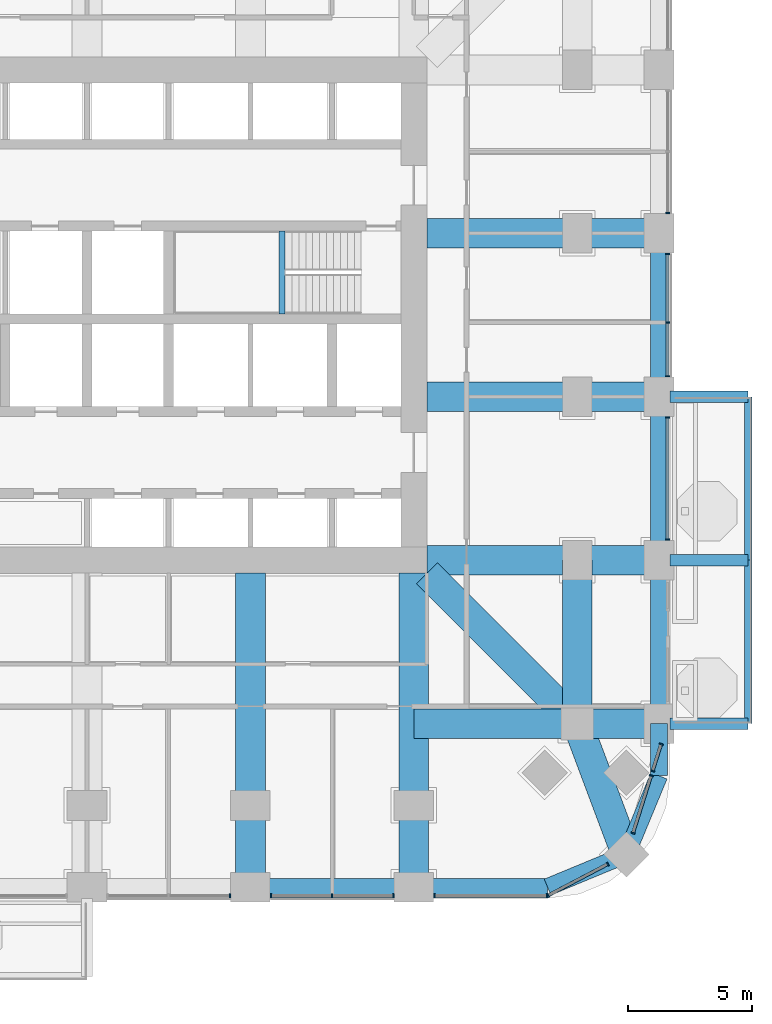
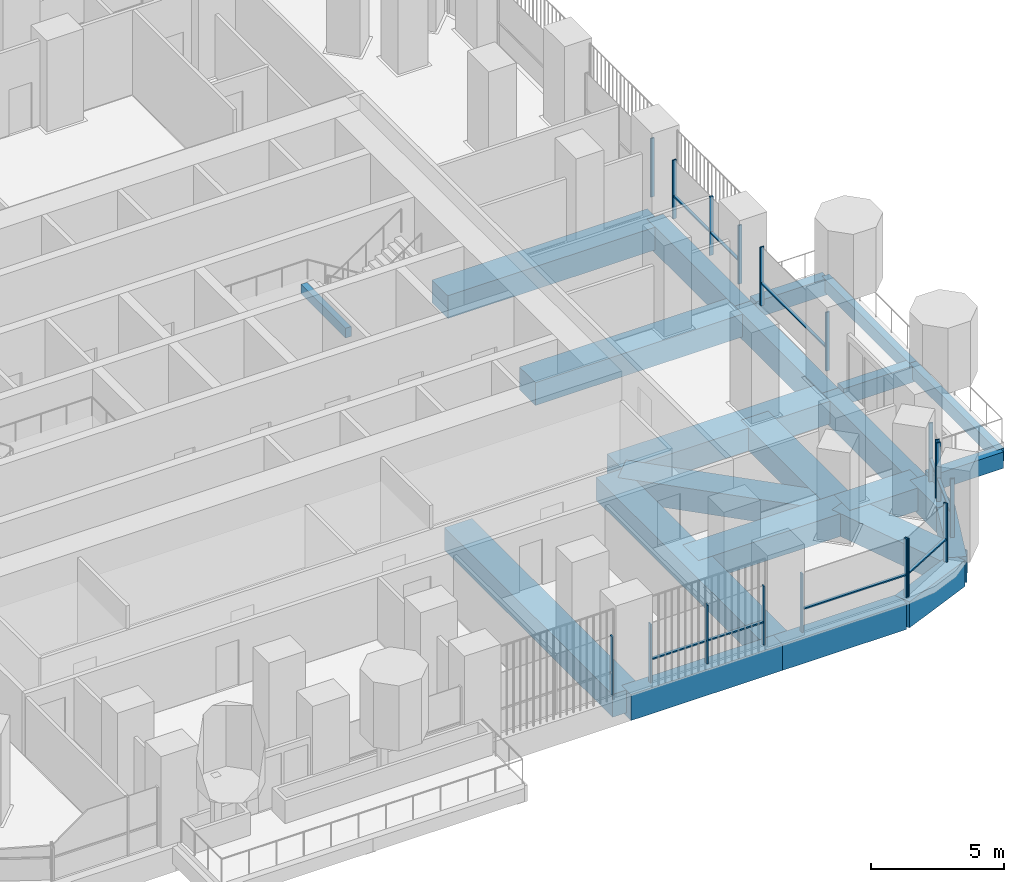
# One storey, part 5 of 21: 27 members, 24 beams, 9 elements without a shape of their own.
"""IFC4 building model written with IfcOpenShell, lengths in metres."""

from ifc_helpers import new_model, si_unit, direction, frame, origin, origin_2d, place, context, subcontext, project, spatial, rectangle, extrude, material, material_profile, profile_set, type_object, element, aggregate, save


model = new_model("IFC4")

# Units and contexts
model_context = context("Model", 3, precision=1e-05, world=origin(), true_north=direction((0.0, 1.0)))
body_context = subcontext(model_context, "Body", "Model", "MODEL_VIEW")
ifc_project = project(units=[si_unit("LENGTHUNIT", "METRE"), si_unit("AREAUNIT", "SQUARE_METRE"), si_unit("VOLUMEUNIT", "CUBIC_METRE"), si_unit("PLANEANGLEUNIT", "RADIAN"), si_unit("MASSUNIT", "GRAM", prefix="KILO")], contexts=[model_context])

# Site, building, storey
site_placement = place(None, origin())
site = spatial("IfcSite", under=ifc_project, at=site_placement, CompositionType="ELEMENT")
building_placement = place(site_placement, origin())
building = spatial("IfcBuilding", under=site, at=building_placement, Name="Cobogo Forest Laboratory Tower", CompositionType="ELEMENT")
storey_placement = place(building_placement, frame((0.0, 0.0, 107.39990234375)))
storey = spatial("IfcBuildingStorey", under=building, at=storey_placement, Name="L24", CompositionType="ELEMENT", Elevation=107.39990234375)

# Beams
ifc_material_1 = material(Name="Concrete HA-40 (C40/50)", Category="concrete")
ifc_material_profile_1 = material_profile(ifc_material_1, rectangle(XDim=0.449951171875, YDim=0.75, at=origin_2d()), Name="RC 450x750")
ifc_profile_set_1 = profile_set([ifc_material_profile_1], Name="Concrete HA-40 (C40/50)")
beam_type_1 = type_object("IfcBeamType", Name="Balcony cantilever beam 450x750", PredefinedType="BEAM", material=ifc_profile_set_1)
for number, where, z_axis, x_axis, name in (
    (1, (49.949951171875, 6.60009765625, -0.625), (1.0, 0.0, 0.0), (0.0, 1.0, 0.0), "CB1 BAL-E1-C1 L24"),
    (2, (49.949951171875, 13.199951171875, -0.625), (1.0, 0.0, 0.0), (0.0, 1.0, 0.0), "CB1 BAL-E1-C2 L24"),
    (3, (49.949951171875, 19.800048828125, -0.625), (1.0, 0.0, 0.0), (0.0, 1.0, 0.0), "CB1 BAL-E1-C3 L24"),
):
    element("IfcBeam", number, at=place(storey_placement, frame(where, z_axis=z_axis, x_axis=x_axis)), inside=storey, type_object=beam_type_1, Name=name, PredefinedType="BEAM", context=body_context, shape_type="SweptSolid", body=[
        extrude(rectangle(XDim=0.449951171875, YDim=0.75, at=origin_2d()), origin(), (0.0, 0.0, 1.0), 3.150146484375),
    ])
ifc_material_profile_2 = material_profile(ifc_material_1, rectangle(XDim=0.300048828125, YDim=0.60009765625, at=origin_2d()), Name="RC 300x600")
ifc_profile_set_2 = profile_set([ifc_material_profile_2], Name="Concrete HA-40 (C40/50)")
beam_type_2 = type_object("IfcBeamType", Name="Balcony edge beam 300x600", PredefinedType="BEAM", material=ifc_profile_set_2)
beam_1_placement = place(storey_placement, frame((53.10009765625, 6.60009765625, -0.5498046875), z_axis=(0.0, 1.0, 0.0), x_axis=(-1.0, 0.0, 0.0)))
element("IfcBeam", 4, at=beam_1_placement, inside=storey, type_object=beam_type_2, Name="BB1 BAL-E1-T1 L24", PredefinedType="BEAM", context=body_context, shape_type="SweptSolid", body=[
    extrude(rectangle(XDim=0.300048828125, YDim=0.60009765625, at=origin_2d()), origin(), (0.0, 0.0, 1.0), 6.599853515625),
])
beam_2_placement = place(storey_placement, frame((53.10009765625, 13.199951171875, -0.5498046875), z_axis=(0.0, 1.0, 0.0), x_axis=(-1.0, 0.0, 0.0)))
element("IfcBeam", 5, at=beam_2_placement, inside=storey, type_object=beam_type_2, Name="BB1 BAL-E1-T2 L24", PredefinedType="BEAM", context=body_context, shape_type="SweptSolid", body=[
    extrude(rectangle(XDim=0.300048828125, YDim=0.60009765625, at=origin_2d()), origin(), (0.0, 0.0, 1.0), 6.60009765625),
])
ifc_material_profile_3 = material_profile(ifc_material_1, rectangle(XDim=0.25, YDim=0.449951171875, at=origin_2d()), Name="RC 250x450")
ifc_profile_set_3 = profile_set([ifc_material_profile_3], Name="Concrete HA-40 (C40/50)")
beam_type_3 = type_object("IfcBeamType", Name="LB1 landing beam 250x450", PredefinedType="BEAM", material=ifc_profile_set_3)
beam_3_placement = place(storey_placement, frame((34.27001953125, 23.14990234375, 1.675048828125), z_axis=(0.0, 1.0, 0.0), x_axis=(-1.0, 0.0, 0.0)))
element("IfcBeam", 6, at=beam_3_placement, inside=storey, type_object=beam_type_3, Name="Landing beam ST2 L24", PredefinedType="BEAM", context=body_context, shape_type="SweptSolid", body=[
    extrude(rectangle(XDim=0.25, YDim=0.449951171875, at=origin_2d()), origin(), (0.0, 0.0, 1.0), 3.35009765625),
])
ifc_material_profile_4 = material_profile(ifc_material_1, rectangle(XDim=1.199951171875, YDim=1.050048828125, at=origin_2d()), Name="RC 1200x1050")
ifc_profile_set_4 = profile_set([ifc_material_profile_4], Name="Concrete HA-40 (C40/50)")
beam_type_4 = type_object("IfcBeamType", Name="Laboratory floor wide beam 1200x1050", PredefinedType="BEAM", material=ifc_profile_set_4)
for number, where, z_axis, x_axis, name in (
    (7, (33.0, 12.675048828125, -0.824951171875), (0.0, -1.0, 0.0), (1.0, 0.0, 0.0), "RB1 R-6-S L24"),
    (8, (39.60009765625, 12.675048828125, -0.824951171875), (0.0, -1.0, 0.0), (1.0, 0.0, 0.0), "RB1 R-7-S L24"),
):
    element("IfcBeam", number, at=place(storey_placement, frame(where, z_axis=z_axis, x_axis=x_axis)), inside=storey, type_object=beam_type_4, Name=name, PredefinedType="BEAM", context=body_context, shape_type="SweptSolid", body=[
        extrude(rectangle(XDim=1.199951171875, YDim=1.050048828125, at=origin_2d()), origin(), (0.0, 0.0, 1.0), 12.675048828125),
    ])
for number, where, z_axis, x_axis, name in (
    (9, (40.125, 13.199951171875, -0.824951171875), (1.0, 0.0, 0.0), (0.0, 1.0, 0.0), "RB1 R-C-E L24"),
    (10, (40.125, 19.800048828125, -0.824951171875), (1.0, 0.0, 0.0), (0.0, 1.0, 0.0), "RB1 R-D-E L24"),
    (11, (40.125, 26.39990234375, -0.824951171875), (1.0, 0.0, 0.0), (0.0, 1.0, 0.0), "RB1 R-E-E L24"),
):
    element("IfcBeam", number, at=place(storey_placement, frame(where, z_axis=z_axis, x_axis=x_axis)), inside=storey, type_object=beam_type_4, Name=name, PredefinedType="BEAM", context=body_context, shape_type="SweptSolid", body=[
        extrude(rectangle(XDim=1.199951171875, YDim=1.050048828125, at=origin_2d()), origin(), (0.0, 0.0, 1.0), 9.375),
    ])
beam_4_placement = place(storey_placement, frame((46.199951171875, 6.60009765625, -0.824951171875), z_axis=(0.0, 1.0, 0.0), x_axis=(-1.0, 0.0, 0.0)))
element("IfcBeam", 12, at=beam_4_placement, inside=storey, type_object=beam_type_4, Name="RB1 G-SE-XC L24", PredefinedType="BEAM", context=body_context, shape_type="SweptSolid", body=[
    extrude(rectangle(XDim=1.199951171875, YDim=1.050048828125, at=origin_2d()), origin(), (0.0, 0.0, 1.0), 6.599853515625),
])
beam_5_placement = place(storey_placement, frame((49.5, 6.60009765625, -0.824951171875), z_axis=(-1.0, 0.0, 0.0), x_axis=(0.0, -1.0, 0.0)))
element("IfcBeam", 13, at=beam_5_placement, inside=storey, type_object=beam_type_4, Name="RB1 G-SE-YF L24", PredefinedType="BEAM", context=body_context, shape_type="SweptSolid", body=[
    extrude(rectangle(XDim=1.199951171875, YDim=1.050048828125, at=origin_2d()), origin(), (0.0, 0.0, 1.0), 3.300048828125),
])
beam_6_placement = place(storey_placement, frame((46.199951171875, 6.60009765625, -0.824951171875), z_axis=(-1.0, 0.0, 0.0), x_axis=(0.0, -1.0, 0.0)))
element("IfcBeam", 14, at=beam_6_placement, inside=storey, type_object=beam_type_4, Name="RB1 G-SE-YC L24", PredefinedType="BEAM", context=body_context, shape_type="SweptSolid", body=[
    extrude(rectangle(XDim=1.199951171875, YDim=1.050048828125, at=origin_2d()), origin(), (0.0, 0.0, 1.0), 6.599853515625),
])
beam_7_placement = place(storey_placement, frame((48.181884765625, 1.318115234375, -0.824951171875), z_axis=(-0.351308391925, 0.936259800356, 0.0), x_axis=(-0.936259800356, -0.351308391925, 0.0)))
element("IfcBeam", 15, at=beam_7_placement, inside=storey, type_object=beam_type_4, Name="RB1 G-SE-D1 L24", PredefinedType="BEAM", context=body_context, shape_type="SweptSolid", body=[
    extrude(rectangle(XDim=1.199951171875, YDim=1.050048828125, at=origin_2d()), origin(), (0.0, 0.0, 1.0), 5.6416015625),
])
beam_8_placement = place(storey_placement, frame((46.199951171875, 6.60009765625, -0.824951171875), z_axis=(-0.707106781187, 0.707106781187, 0.0), x_axis=(-0.707106781187, -0.707106781187, 0.0)))
element("IfcBeam", 16, at=beam_8_placement, inside=storey, type_object=beam_type_4, Name="RB1 G-SE-D2 L24", PredefinedType="BEAM", context=body_context, shape_type="SweptSolid", body=[
    extrude(rectangle(XDim=1.199951171875, YDim=1.050048828125, at=origin_2d()), origin(), (0.0, 0.0, 1.0), 8.59130859375),
])

# Curtain wall, member
ifc_material_2 = material(Name="Aluminium curtain wall", Category="aluminium")
curtain_wall_type = type_object("IfcCurtainWallType", Name="CW-1 unitised curtain wall, clear glazing, laboratory floors zones A and B", PredefinedType="USERDEFINED", material=ifc_material_2)
curtain_wall_1_placement = place(storey_placement, origin())
curtain_wall_1 = element("IfcCurtainWall", 17, at=curtain_wall_1_placement, inside=storey, type_object=curtain_wall_type, Name="Curtain wall 04 L24", ObjectType="UNITISED CURTAIN WALL", PredefinedType="USERDEFINED")
ifc_material_3 = material(Name="Aluminium mullion", Category="aluminium")
ifc_material_profile_5 = material_profile(ifc_material_3, rectangle(XDim=0.06005859375, YDim=0.159912109375, at=origin_2d()), Name="AL 60x160")
ifc_profile_set_5 = profile_set([ifc_material_profile_5], Name="Aluminium mullion")
member_type_1 = type_object("IfcMemberType", Name="MU-1 aluminium mullion 60x160", PredefinedType="MULLION", material=ifc_profile_set_5)
member_1_placement = place(storey_placement, frame((32.169921875, -0.35009765625, 0.0), z_axis=(0.0, 0.0, 1.0), x_axis=(1.0, 0.0, 0.0)))
member_1 = element("IfcMember", 18, at=member_1_placement, type_object=member_type_1, Name="CW-1 mullion 3", PredefinedType="MULLION", context=body_context, shape_type="SweptSolid", body=[
    extrude(rectangle(XDim=0.06005859375, YDim=0.159912109375, at=origin_2d()), origin(), (0.0, 0.0, 1.0), 2.7001953125),
])
aggregate(curtain_wall_1, [member_1])

# Curtain wall, members
curtain_wall_2_placement = place(storey_placement, origin())
curtain_wall_2 = element("IfcCurtainWall", 19, at=curtain_wall_2_placement, inside=storey, type_object=curtain_wall_type, Name="Curtain wall 05 L24", ObjectType="UNITISED CURTAIN WALL", PredefinedType="USERDEFINED")
member_2_placement = place(storey_placement, frame((33.830078125, -0.35009765625, 0.0), z_axis=(0.0, 0.0, 1.0), x_axis=(1.0, 0.0, 0.0)))
member_2 = element("IfcMember", 20, at=member_2_placement, type_object=member_type_1, Name="CW-1 mullion 1", PredefinedType="MULLION", context=body_context, shape_type="SweptSolid", body=[
    extrude(rectangle(XDim=0.06005859375, YDim=0.159912109375, at=origin_2d()), origin(), (0.0, 0.0, 1.0), 2.7001953125),
])
member_3_placement = place(storey_placement, frame((36.300048828125, -0.35009765625, 0.0), z_axis=(0.0, 0.0, 1.0), x_axis=(1.0, 0.0, 0.0)))
member_3 = element("IfcMember", 21, at=member_3_placement, type_object=member_type_1, Name="CW-1 mullion 2", PredefinedType="MULLION", context=body_context, shape_type="SweptSolid", body=[
    extrude(rectangle(XDim=0.06005859375, YDim=0.159912109375, at=origin_2d()), origin(), (0.0, 0.0, 1.0), 2.7001953125),
])
member_4_placement = place(storey_placement, frame((38.77001953125, -0.35009765625, 0.0), z_axis=(0.0, 0.0, 1.0), x_axis=(1.0, 0.0, 0.0)))
member_4 = element("IfcMember", 22, at=member_4_placement, type_object=member_type_1, Name="CW-1 mullion 3", PredefinedType="MULLION", context=body_context, shape_type="SweptSolid", body=[
    extrude(rectangle(XDim=0.06005859375, YDim=0.159912109375, at=origin_2d()), origin(), (0.0, 0.0, 1.0), 2.7001953125),
])

curtain_wall_3_placement = place(storey_placement, origin())
curtain_wall_3 = element("IfcCurtainWall", 23, at=curtain_wall_3_placement, inside=storey, type_object=curtain_wall_type, Name="Curtain wall 06 L24", ObjectType="UNITISED CURTAIN WALL", PredefinedType="USERDEFINED")
member_5_placement = place(storey_placement, frame((40.429931640625, -0.35009765625, 0.0), z_axis=(0.0, 0.0, 1.0), x_axis=(1.0, 0.0, 0.0)))
member_5 = element("IfcMember", 24, at=member_5_placement, type_object=member_type_1, Name="CW-1 mullion 1", PredefinedType="MULLION", context=body_context, shape_type="SweptSolid", body=[
    extrude(rectangle(XDim=0.06005859375, YDim=0.159912109375, at=origin_2d()), origin(), (0.0, 0.0, 1.0), 2.7001953125),
])
member_6_placement = place(storey_placement, frame((44.969970703125, -0.35009765625, 0.0), z_axis=(0.0, 0.0, 1.0), x_axis=(1.0, 0.0, 0.0)))
member_6 = element("IfcMember", 25, at=member_6_placement, type_object=member_type_1, Name="CW-1 mullion 2", PredefinedType="MULLION", context=body_context, shape_type="SweptSolid", body=[
    extrude(rectangle(XDim=0.06005859375, YDim=0.159912109375, at=origin_2d()), origin(), (0.0, 0.0, 1.0), 2.7001953125),
])

curtain_wall_4_placement = place(storey_placement, origin())
curtain_wall_4 = element("IfcCurtainWall", 26, at=curtain_wall_4_placement, inside=storey, type_object=curtain_wall_type, Name="Curtain wall 07 L24", ObjectType="UNITISED CURTAIN WALL", PredefinedType="USERDEFINED")
member_7_placement = place(storey_placement, frame((45.026611328125, -0.336181640625, 0.0), z_axis=(0.0, 0.0, 1.0), x_axis=(0.885686547075, 0.464283685186, 0.0)))
member_7 = element("IfcMember", 27, at=member_7_placement, type_object=member_type_1, Name="CW-1 mullion 1", PredefinedType="MULLION", context=body_context, shape_type="SweptSolid", body=[
    extrude(rectangle(XDim=0.06005859375, YDim=0.159912109375, at=origin_2d()), origin(), (0.0, 0.0, 1.0), 2.7001953125),
])
member_8_placement = place(storey_placement, frame((47.431640625, 0.9248046875, 0.0), z_axis=(0.0, 0.0, 1.0), x_axis=(0.885686547075, 0.464283685186, 0.0)))
member_8 = element("IfcMember", 28, at=member_8_placement, type_object=member_type_1, Name="CW-1 mullion 2", PredefinedType="MULLION", context=body_context, shape_type="SweptSolid", body=[
    extrude(rectangle(XDim=0.06005859375, YDim=0.159912109375, at=origin_2d()), origin(), (0.0, 0.0, 1.0), 2.7001953125),
])

curtain_wall_5_placement = place(storey_placement, origin())
curtain_wall_5 = element("IfcCurtainWall", 29, at=curtain_wall_5_placement, inside=storey, type_object=curtain_wall_type, Name="Curtain wall 08 L24", ObjectType="UNITISED CURTAIN WALL", PredefinedType="USERDEFINED")
member_9_placement = place(storey_placement, frame((48.455810546875, 2.18505859375, 0.0), z_axis=(0.0, 0.0, 1.0), x_axis=(0.301135291996, 0.953581425949, 0.0)))
member_9 = element("IfcMember", 30, at=member_9_placement, type_object=member_type_1, Name="CW-1 mullion 1", PredefinedType="MULLION", context=body_context, shape_type="SweptSolid", body=[
    extrude(rectangle(XDim=0.06005859375, YDim=0.159912109375, at=origin_2d()), origin(), (0.0, 0.0, 1.0), 2.7001953125),
])
member_10_placement = place(storey_placement, frame((49.18701171875, 4.500244140625, 0.0), z_axis=(0.0, 0.0, 1.0), x_axis=(0.301135291996, 0.953581425949, 0.0)))
member_10 = element("IfcMember", 31, at=member_10_placement, type_object=member_type_1, Name="CW-1 mullion 2", PredefinedType="MULLION", context=body_context, shape_type="SweptSolid", body=[
    extrude(rectangle(XDim=0.06005859375, YDim=0.159912109375, at=origin_2d()), origin(), (0.0, 0.0, 1.0), 2.7001953125),
])

curtain_wall_6_placement = place(storey_placement, origin())
curtain_wall_6 = element("IfcCurtainWall", 32, at=curtain_wall_6_placement, inside=storey, type_object=curtain_wall_type, Name="Curtain wall 09 L24", ObjectType="UNITISED CURTAIN WALL", PredefinedType="USERDEFINED")
member_11_placement = place(storey_placement, frame((49.247802734375, 4.69287109375, 0.0), z_axis=(0.0, 0.0, 1.0), x_axis=(0.301135667865, 0.953581307252, 0.0)))
member_11 = element("IfcMember", 33, at=member_11_placement, type_object=member_type_1, Name="CW-1 mullion 1", PredefinedType="MULLION", context=body_context, shape_type="SweptSolid", body=[
    extrude(rectangle(XDim=0.06005859375, YDim=0.159912109375, at=origin_2d()), origin(), (0.0, 0.0, 1.0), 2.7001953125),
])
member_12_placement = place(storey_placement, frame((49.58837890625, 5.771484375, 0.0), z_axis=(0.0, 0.0, 1.0), x_axis=(0.301135667865, 0.953581307252, 0.0)))
member_12 = element("IfcMember", 34, at=member_12_placement, type_object=member_type_1, Name="CW-1 mullion 2", PredefinedType="MULLION", context=body_context, shape_type="SweptSolid", body=[
    extrude(rectangle(XDim=0.06005859375, YDim=0.159912109375, at=origin_2d()), origin(), (0.0, 0.0, 1.0), 2.7001953125),
])

curtain_wall_7_placement = place(storey_placement, origin())
curtain_wall_7 = element("IfcCurtainWall", 35, at=curtain_wall_7_placement, inside=storey, type_object=curtain_wall_type, Name="Curtain wall 11 L24", ObjectType="UNITISED CURTAIN WALL", PredefinedType="USERDEFINED")
member_13_placement = place(storey_placement, frame((49.85009765625, 14.030029296875, 0.0), z_axis=(0.0, 0.0, 1.0), x_axis=(0.0, 1.0, 0.0)))
member_13 = element("IfcMember", 36, at=member_13_placement, type_object=member_type_1, Name="CW-1 mullion 1", PredefinedType="MULLION", context=body_context, shape_type="SweptSolid", body=[
    extrude(rectangle(XDim=0.06005859375, YDim=0.159912109375, at=origin_2d()), origin(), (0.0, 0.0, 1.0), 2.7001953125),
])
member_14_placement = place(storey_placement, frame((49.85009765625, 18.969970703125, 0.0), z_axis=(0.0, 0.0, 1.0), x_axis=(0.0, 1.0, 0.0)))
member_14 = element("IfcMember", 37, at=member_14_placement, type_object=member_type_1, Name="CW-1 mullion 2", PredefinedType="MULLION", context=body_context, shape_type="SweptSolid", body=[
    extrude(rectangle(XDim=0.06005859375, YDim=0.159912109375, at=origin_2d()), origin(), (0.0, 0.0, 1.0), 2.7001953125),
])

curtain_wall_8_placement = place(storey_placement, origin())
curtain_wall_8 = element("IfcCurtainWall", 38, at=curtain_wall_8_placement, inside=storey, type_object=curtain_wall_type, Name="Curtain wall 12 L24", ObjectType="UNITISED CURTAIN WALL", PredefinedType="USERDEFINED")
member_15_placement = place(storey_placement, frame((49.85009765625, 20.6298828125, 0.0), z_axis=(0.0, 0.0, 1.0), x_axis=(0.0, 1.0, 0.0)))
member_15 = element("IfcMember", 39, at=member_15_placement, type_object=member_type_1, Name="CW-1 mullion 1", PredefinedType="MULLION", context=body_context, shape_type="SweptSolid", body=[
    extrude(rectangle(XDim=0.06005859375, YDim=0.159912109375, at=origin_2d()), origin(), (0.0, 0.0, 1.0), 2.7001953125),
])
member_16_placement = place(storey_placement, frame((49.85009765625, 22.800048828125, 0.0), z_axis=(0.0, 0.0, 1.0), x_axis=(0.0, 1.0, 0.0)))
member_16 = element("IfcMember", 40, at=member_16_placement, type_object=member_type_1, Name="CW-1 mullion 2", PredefinedType="MULLION", context=body_context, shape_type="SweptSolid", body=[
    extrude(rectangle(XDim=0.06005859375, YDim=0.159912109375, at=origin_2d()), origin(), (0.0, 0.0, 1.0), 2.7001953125),
])
member_17_placement = place(storey_placement, frame((49.85009765625, 25.570068359375, 0.0), z_axis=(0.0, 0.0, 1.0), x_axis=(0.0, 1.0, 0.0)))
member_17 = element("IfcMember", 41, at=member_17_placement, type_object=member_type_1, Name="CW-1 mullion 3", PredefinedType="MULLION", context=body_context, shape_type="SweptSolid", body=[
    extrude(rectangle(XDim=0.06005859375, YDim=0.159912109375, at=origin_2d()), origin(), (0.0, 0.0, 1.0), 2.7001953125),
])

# Curtain wall, member
curtain_wall_9_placement = place(storey_placement, origin())
curtain_wall_9 = element("IfcCurtainWall", 42, at=curtain_wall_9_placement, inside=storey, type_object=curtain_wall_type, Name="Curtain wall 13 L24", ObjectType="UNITISED CURTAIN WALL", PredefinedType="USERDEFINED")
member_18_placement = place(storey_placement, frame((49.85009765625, 27.22998046875, 0.0), z_axis=(0.0, 0.0, 1.0), x_axis=(0.0, 1.0, 0.0)))
member_18 = element("IfcMember", 43, at=member_18_placement, type_object=member_type_1, Name="CW-1 mullion 1", PredefinedType="MULLION", context=body_context, shape_type="SweptSolid", body=[
    extrude(rectangle(XDim=0.06005859375, YDim=0.159912109375, at=origin_2d()), origin(), (0.0, 0.0, 1.0), 2.7001953125),
])
aggregate(curtain_wall_9, [member_18])

# Beams
ifc_material_profile_6 = material_profile(ifc_material_1, rectangle(XDim=0.699951171875, YDim=1.199951171875, at=origin_2d()), Name="RC 700x1200")
ifc_profile_set_6 = profile_set([ifc_material_profile_6], Name="Concrete HA-40 (C40/50)")
beam_type_5 = type_object("IfcBeamType", Name="Perimeter edge beam 700x1200", PredefinedType="BEAM", material=ifc_profile_set_6)
beam_9_placement = place(storey_placement, frame((33.0, 0.0, -0.89990234375), z_axis=(1.0, 0.0, 0.0), x_axis=(0.0, 1.0, 0.0)))
element("IfcBeam", 44, at=beam_9_placement, inside=storey, type_object=beam_type_5, Name="EB1 E-S4 L24", PredefinedType="BEAM", context=body_context, shape_type="SweptSolid", body=[
    extrude(rectangle(XDim=0.699951171875, YDim=1.199951171875, at=origin_2d()), origin(), (0.0, 0.0, 1.0), 6.60009765625),
])
beam_10_placement = place(storey_placement, frame((49.5, 6.60009765625, -0.89990234375), z_axis=(0.0, 1.0, 0.0), x_axis=(-1.0, 0.0, 0.0)))
element("IfcBeam", 45, at=beam_10_placement, inside=storey, type_object=beam_type_5, Name="EB1 E-E1 L24", PredefinedType="BEAM", context=body_context, shape_type="SweptSolid", body=[
    extrude(rectangle(XDim=0.699951171875, YDim=1.199951171875, at=origin_2d()), origin(), (0.0, 0.0, 1.0), 6.599853515625),
])
beam_11_placement = place(storey_placement, frame((49.5, 13.199951171875, -0.89990234375), z_axis=(0.0, 1.0, 0.0), x_axis=(-1.0, 0.0, 0.0)))
element("IfcBeam", 46, at=beam_11_placement, inside=storey, type_object=beam_type_5, Name="EB1 E-E2 L24", PredefinedType="BEAM", context=body_context, shape_type="SweptSolid", body=[
    extrude(rectangle(XDim=0.699951171875, YDim=1.199951171875, at=origin_2d()), origin(), (0.0, 0.0, 1.0), 6.60009765625),
])
beam_12_placement = place(storey_placement, frame((49.5, 19.800048828125, -0.89990234375), z_axis=(0.0, 1.0, 0.0), x_axis=(-1.0, 0.0, 0.0)))
element("IfcBeam", 47, at=beam_12_placement, inside=storey, type_object=beam_type_5, Name="EB1 E-E3 L24", PredefinedType="BEAM", context=body_context, shape_type="SweptSolid", body=[
    extrude(rectangle(XDim=0.699951171875, YDim=1.199951171875, at=origin_2d()), origin(), (0.0, 0.0, 1.0), 6.599853515625),
])
beam_13_placement = place(storey_placement, frame((39.60009765625, 0.0, -0.89990234375), z_axis=(1.0, 0.0, 0.0), x_axis=(0.0, 1.0, 0.0)))
element("IfcBeam", 48, at=beam_13_placement, inside=storey, type_object=beam_type_5, Name="EB1 E-SES1 L24", PredefinedType="BEAM", context=body_context, shape_type="SweptSolid", body=[
    extrude(rectangle(XDim=0.699951171875, YDim=1.199951171875, at=origin_2d()), origin(), (0.0, 0.0, 1.0), 5.39990234375),
])
beam_14_placement = place(storey_placement, frame((45.0, 0.0, -0.89990234375), z_axis=(0.923865631356, 0.382716990999, 0.0), x_axis=(-0.382716990999, 0.923865631356, 0.0)))
element("IfcBeam", 49, at=beam_14_placement, inside=storey, type_object=beam_type_5, Name="EB1 E-SES2 L24", PredefinedType="BEAM", context=body_context, shape_type="SweptSolid", body=[
    extrude(rectangle(XDim=0.699951171875, YDim=1.199951171875, at=origin_2d()), origin(), (0.0, 0.0, 1.0), 3.444091796875),
])
beam_15_placement = place(storey_placement, frame((49.5, 6.60009765625, -0.89990234375), z_axis=(0.0, -1.0, 0.0), x_axis=(1.0, 0.0, 0.0)))
element("IfcBeam", 50, at=beam_15_placement, inside=storey, type_object=beam_type_5, Name="EB1 E-SEE1 L24", PredefinedType="BEAM", context=body_context, shape_type="SweptSolid", body=[
    extrude(rectangle(XDim=0.699951171875, YDim=1.199951171875, at=origin_2d()), origin(), (0.0, 0.0, 1.0), 2.10009765625),
])
beam_16_placement = place(storey_placement, frame((49.5, 4.5, -0.89990234375), z_axis=(-0.382716990999, -0.923865631356, 0.0), x_axis=(0.923865631356, -0.382716990999, 0.0)))
element("IfcBeam", 51, at=beam_16_placement, inside=storey, type_object=beam_type_5, Name="EB1 E-SEE2 L24", PredefinedType="BEAM", context=body_context, shape_type="SweptSolid", body=[
    extrude(rectangle(XDim=0.699951171875, YDim=1.199951171875, at=origin_2d()), origin(), (0.0, 0.0, 1.0), 3.444091796875),
])

# Member
ifc_material_4 = material(Name="Aluminium transom", Category="aluminium")
ifc_material_profile_7 = material_profile(ifc_material_4, rectangle(XDim=0.1201171875, YDim=0.06005859375, at=origin_2d()), Name="AL 60x120")
ifc_profile_set_7 = profile_set([ifc_material_profile_7], Name="Aluminium transom")
member_type_2 = type_object("IfcMemberType", Name="TR-1 aluminium transom 60x120", PredefinedType="USERDEFINED", material=ifc_profile_set_7)
member_19_placement = place(storey_placement, frame((33.860107421875, -0.35009765625, 1.050048828125), z_axis=(1.0, 0.0, 0.0), x_axis=(0.0, 1.0, 0.0)))
member_19 = element("IfcMember", 52, at=member_19_placement, type_object=member_type_2, Name="CW-1 transom 1.1", ObjectType="TRANSOM", PredefinedType="USERDEFINED", context=body_context, shape_type="SweptSolid", body=[
    extrude(rectangle(XDim=0.1201171875, YDim=0.06005859375, at=origin_2d()), origin(), (0.0, 0.0, 1.0), 2.409912109375),
])

member_20_placement = place(storey_placement, frame((36.330078125, -0.35009765625, 1.050048828125), z_axis=(1.0, 0.0, 0.0), x_axis=(0.0, 1.0, 0.0)))
member_20 = element("IfcMember", 53, at=member_20_placement, type_object=member_type_2, Name="CW-1 transom 2.1", ObjectType="TRANSOM", PredefinedType="USERDEFINED", context=body_context, shape_type="SweptSolid", body=[
    extrude(rectangle(XDim=0.1201171875, YDim=0.06005859375, at=origin_2d()), origin(), (0.0, 0.0, 1.0), 2.409912109375),
])

aggregate(curtain_wall_2, [member_2, member_3, member_4, member_19, member_20])

member_21_placement = place(storey_placement, frame((40.4599609375, -0.35009765625, 1.050048828125), z_axis=(1.0, 0.0, 0.0), x_axis=(0.0, 1.0, 0.0)))
member_21 = element("IfcMember", 54, at=member_21_placement, type_object=member_type_2, Name="CW-1 transom 1.1", ObjectType="TRANSOM", PredefinedType="USERDEFINED", context=body_context, shape_type="SweptSolid", body=[
    extrude(rectangle(XDim=0.1201171875, YDim=0.06005859375, at=origin_2d()), origin(), (0.0, 0.0, 1.0), 4.47998046875),
])

aggregate(curtain_wall_3, [member_5, member_6, member_21])

member_22_placement = place(storey_placement, frame((45.05322265625, -0.322021484375, 1.050048828125), z_axis=(0.885674922116, 0.464305860758, 0.0), x_axis=(-0.464305860758, 0.885674922116, 0.0)))
member_22 = element("IfcMember", 55, at=member_22_placement, type_object=member_type_2, Name="CW-1 transom 1.1", ObjectType="TRANSOM", PredefinedType="USERDEFINED", context=body_context, shape_type="SweptSolid", body=[
    extrude(rectangle(XDim=0.1201171875, YDim=0.06005859375, at=origin_2d()), origin(), (0.0, 0.0, 1.0), 2.6552734375),
])

aggregate(curtain_wall_4, [member_7, member_8, member_22])

member_23_placement = place(storey_placement, frame((48.46484375, 2.213623046875, 1.050048828125), z_axis=(0.301156039198, 0.953574873859, 0.0), x_axis=(-0.953574873859, 0.301156039198, 0.0)))
member_23 = element("IfcMember", 56, at=member_23_placement, type_object=member_type_2, Name="CW-1 transom 1.1", ObjectType="TRANSOM", PredefinedType="USERDEFINED", context=body_context, shape_type="SweptSolid", body=[
    extrude(rectangle(XDim=0.1201171875, YDim=0.06005859375, at=origin_2d()), origin(), (0.0, 0.0, 1.0), 2.367919921875),
])

aggregate(curtain_wall_5, [member_9, member_10, member_23])

member_24_placement = place(storey_placement, frame((49.2568359375, 4.7216796875, 1.050048828125), z_axis=(0.301207754852, 0.953558539586, 0.0), x_axis=(-0.953558539586, 0.301207754852, 0.0)))
member_24 = element("IfcMember", 57, at=member_24_placement, type_object=member_type_2, Name="CW-1 transom 1.1", ObjectType="TRANSOM", PredefinedType="USERDEFINED", context=body_context, shape_type="SweptSolid", body=[
    extrude(rectangle(XDim=0.1201171875, YDim=0.06005859375, at=origin_2d()), origin(), (0.0, 0.0, 1.0), 1.07080078125),
])

aggregate(curtain_wall_6, [member_11, member_12, member_24])

member_25_placement = place(storey_placement, frame((49.85009765625, 14.06005859375, 1.050048828125), z_axis=(0.0, 1.0, 0.0), x_axis=(-1.0, 0.0, 0.0)))
member_25 = element("IfcMember", 58, at=member_25_placement, type_object=member_type_2, Name="CW-1 transom 1.1", ObjectType="TRANSOM", PredefinedType="USERDEFINED", context=body_context, shape_type="SweptSolid", body=[
    extrude(rectangle(XDim=0.1201171875, YDim=0.06005859375, at=origin_2d()), origin(), (0.0, 0.0, 1.0), 4.8798828125),
])

aggregate(curtain_wall_7, [member_13, member_14, member_25])

member_26_placement = place(storey_placement, frame((49.85009765625, 20.659912109375, 1.050048828125), z_axis=(0.0, 1.0, 0.0), x_axis=(-1.0, 0.0, 0.0)))
member_26 = element("IfcMember", 59, at=member_26_placement, type_object=member_type_2, Name="CW-1 transom 1.1", ObjectType="TRANSOM", PredefinedType="USERDEFINED", context=body_context, shape_type="SweptSolid", body=[
    extrude(rectangle(XDim=0.1201171875, YDim=0.06005859375, at=origin_2d()), origin(), (0.0, 0.0, 1.0), 2.110107421875),
])

member_27_placement = place(storey_placement, frame((49.85009765625, 22.830078125, 1.050048828125), z_axis=(0.0, 1.0, 0.0), x_axis=(-1.0, 0.0, 0.0)))
member_27 = element("IfcMember", 60, at=member_27_placement, type_object=member_type_2, Name="CW-1 transom 2.1", ObjectType="TRANSOM", PredefinedType="USERDEFINED", context=body_context, shape_type="SweptSolid", body=[
    extrude(rectangle(XDim=0.1201171875, YDim=0.06005859375, at=origin_2d()), origin(), (0.0, 0.0, 1.0), 2.7099609375),
])

aggregate(curtain_wall_8, [member_15, member_16, member_17, member_26, member_27])

save(model, "model.ifc")
